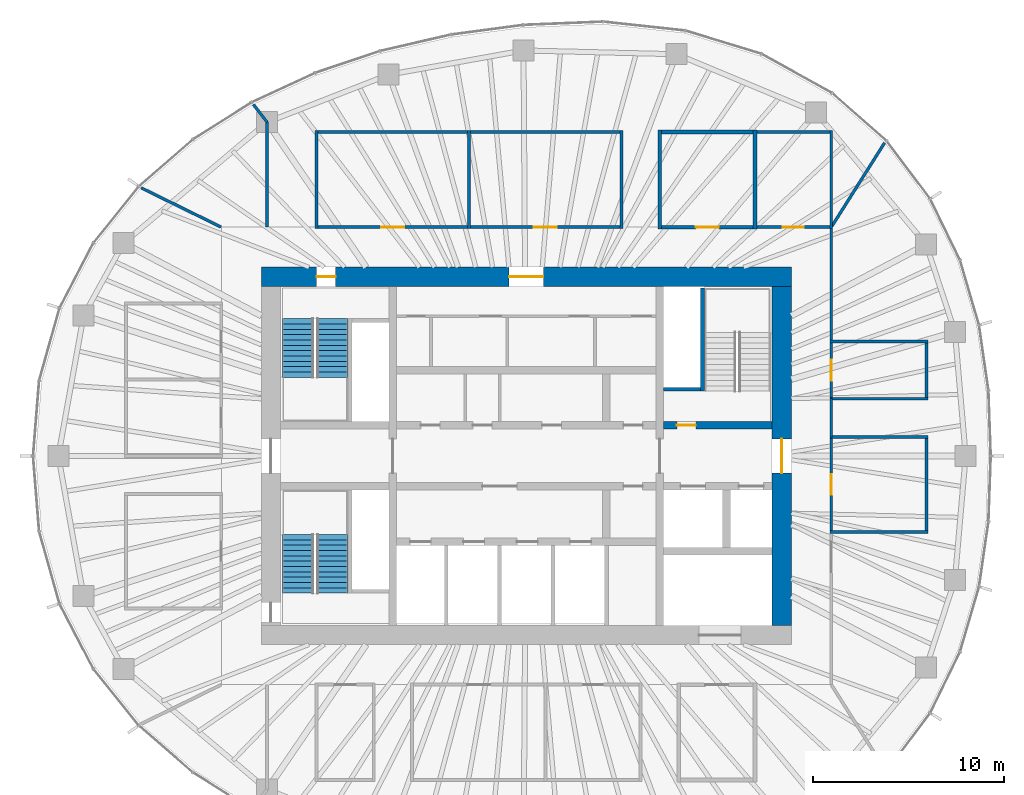
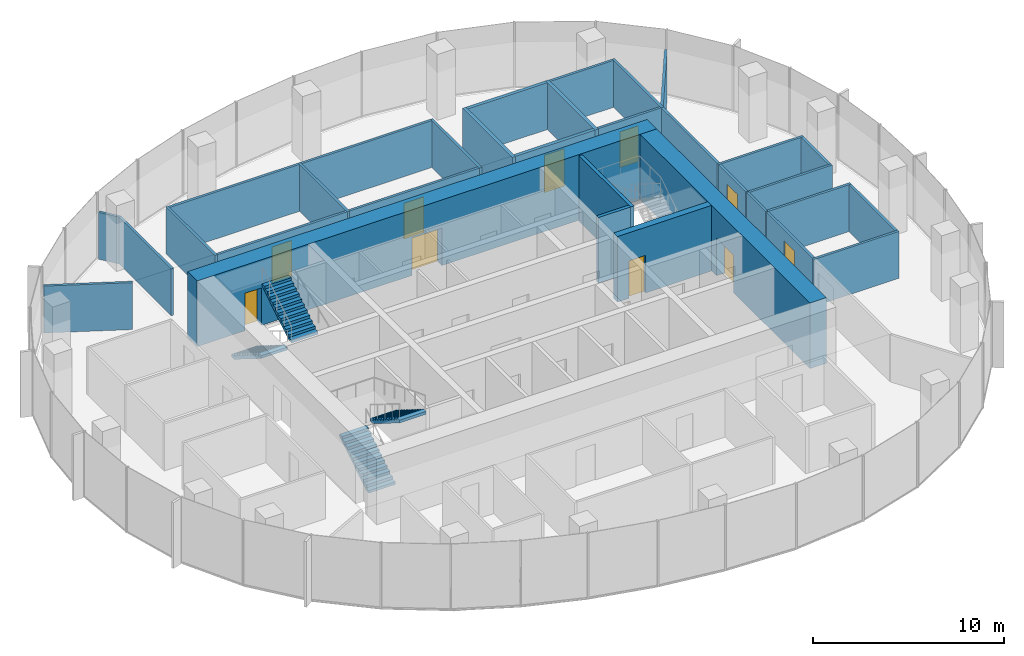
# One storey, part 10 of 12: 33 walls, 10 doors, 4 stair flights, 10 openings, 2 elements without a shape of their own.
"""IFC4 building model written with IfcOpenShell, lengths in metres."""

from ifc_helpers import new_model, si_unit, direction, frame, frame_2d, origin, place, context, subcontext, project, spatial, polyline, rectangle, outline, extrude, material, layer, layer_set, type_object, element, fill, aggregate, save


model = new_model("IFC4")

# Units and contexts
model_context = context("Model", 3, precision=1e-05, world=origin(), true_north=direction((0.0, 1.0)))
body_context = subcontext(model_context, "Body", "Model", "MODEL_VIEW")
ifc_project = project(units=[si_unit("LENGTHUNIT", "METRE"), si_unit("AREAUNIT", "SQUARE_METRE"), si_unit("VOLUMEUNIT", "CUBIC_METRE"), si_unit("PLANEANGLEUNIT", "RADIAN"), si_unit("MASSUNIT", "GRAM", prefix="KILO")], contexts=[model_context])

# Site, building, storey
site_placement = place(None, origin())
site = spatial("IfcSite", under=ifc_project, at=site_placement, CompositionType="ELEMENT")
building_placement = place(site_placement, origin())
building = spatial("IfcBuilding", under=site, at=building_placement, Name="Ghaith Harvest Tower", CompositionType="ELEMENT")
storey_placement = place(building_placement, frame((0.0, 0.0, 296.39990234375)))
storey = spatial("IfcBuildingStorey", under=building, at=storey_placement, Name="L66", CompositionType="ELEMENT", Elevation=296.39990234375)

# Walls
ifc_material_1 = material(Name="Twin-stud gypsum board, acoustic", Category="gypsum")
ifc_layer_1 = layer(ifc_material_1, 0.199951171875)
ifc_layer_set_1 = layer_set([ifc_layer_1], Name="ACOUSTIC PARTITION 200")
wall_type_1 = type_object("IfcWallType", Name="ACOUSTIC PARTITION 200", PredefinedType="PARTITIONING", material=ifc_layer_set_1)
for number, where, z_axis, x_axis, name in (
    (1, (7.0, 11.89990234375, 0.0), (0.0, 0.0, 1.0), (0.0, 1.0, 0.0), "Partition L66 row N2 cross wall 1"),
    (2, (12.0, 11.89990234375, 0.0), (0.0, 0.0, 1.0), (0.0, 1.0, 0.0), "Partition L66 row N2 cross wall 2"),
):
    element("IfcWall", number, at=place(storey_placement, frame(where, z_axis=z_axis, x_axis=x_axis)), inside=storey, type_object=wall_type_1, Name=name, PredefinedType="PARTITIONING", context=body_context, shape_type="SweptSolid", body=[
        extrude(rectangle(XDim=5.2001953125, YDim=0.199951171875, at=frame_2d((2.60009765625, 0.0))), origin(), (0.0, 0.0, 1.0), 3.0),
    ])

# Wall, opening, door
wall_1_placement = place(storey_placement, frame((7.10009765625, 12.0, 0.0), z_axis=(0.0, 0.0, 1.0), x_axis=(1.0, 0.0, 0.0)))
wall_1 = element("IfcWall", 3, at=wall_1_placement, inside=storey, type_object=wall_type_1, Name="Partition L66-03", PredefinedType="PARTITIONING", context=body_context, shape_type="SweptSolid", body=[
    extrude(rectangle(XDim=4.7998046875, YDim=0.199951171875, at=frame_2d((2.39990234375, 0.0))), origin(), (0.0, 0.0, 1.0), 3.0),
])
opening_1_placement = place(wall_1_placement, frame((1.800048828125, 0.0, 0.0)))
opening_1 = element("IfcOpeningElement", 4, at=opening_1_placement, cuts=wall_1, Name="Opening 66-028", PredefinedType="OPENING", context=body_context, shape_type="SweptSolid", body=[
    extrude(rectangle(XDim=1.199951171875, YDim=2.39990234375, at=frame_2d((0.60009765625, 1.199951171875))), frame((0.0, 0.10986328125, 0.0), z_axis=(0.0, -1.0, 0.0), x_axis=(1.0, 0.0, 0.0)), (0.0, 0.0, 1.0), 0.219970703125),
])
ifc_material_2 = material(Name="Timber door", Category="wood")
door_type_1 = type_object("IfcDoorType", Name="D11 GLAZED 1200x2400", OperationType="SINGLE_SWING_LEFT", PredefinedType="DOOR", material=ifc_material_2)
door_1_placement = place(opening_1_placement, origin())
door_1 = element("IfcDoor", 5, at=door_1_placement, inside=storey, type_object=door_type_1, Name="Meeting room door", OperationType="SINGLE_SWING_LEFT", OverallHeight=2.39990234375, OverallWidth=1.199951171875, PredefinedType="DOOR", context=body_context, shape_type="SweptSolid", body=[
    extrude(rectangle(XDim=1.199951171875, YDim=2.39990234375, at=frame_2d((0.60009765625, 1.199951171875))), frame((0.0, 0.02490234375, 0.0), z_axis=(0.0, -1.0, 0.0), x_axis=(1.0, 0.0, 0.0)), (0.0, 0.0, 1.0), 0.050048828125),
])
fill(opening_1, door_1)

# Wall
wall_2_placement = place(storey_placement, frame((7.10009765625, 17.0, 0.0), z_axis=(0.0, 0.0, 1.0), x_axis=(1.0, 0.0, 0.0)))
element("IfcWall", 6, at=wall_2_placement, inside=storey, type_object=wall_type_1, Name="Partition L66-03", PredefinedType="PARTITIONING", context=body_context, shape_type="SweptSolid", body=[
    extrude(rectangle(XDim=4.7998046875, YDim=0.199951171875, at=frame_2d((2.39990234375, 0.0))), origin(), (0.0, 0.0, 1.0), 3.0),
])

# Wall, openings, doors
ifc_material_3 = material(Name="Concrete C50/60", Category="concrete")
ifc_layer_2 = layer(ifc_material_3, 1.0)
ifc_layer_set_2 = layer_set([ifc_layer_2], Name="CORE WALL CW1000")
wall_type_2 = type_object("IfcWallType", Name="CORE WALL CW1000", PredefinedType="SHEAR", material=ifc_layer_set_2)
wall_3_placement = place(storey_placement, frame((13.89990234375, 9.39990234375, 0.0), z_axis=(0.0, 0.0, 1.0), x_axis=(-1.0, 0.0, 0.0)))
wall_3 = element("IfcWall", 7, at=wall_3_placement, inside=storey, type_object=wall_type_2, Name="Core wall N L66", PredefinedType="SHEAR", context=body_context, shape_type="SweptSolid", body=[
    extrude(rectangle(XDim=27.7998046875, YDim=1.0, at=frame_2d((13.89990234375, 0.0))), origin(), (0.0, 0.0, 1.0), 4.2001953125),
])
opening_2_placement = place(wall_3_placement, frame((23.89990234375, 0.0, 0.0)))
opening_2 = element("IfcOpeningElement", 8, at=opening_2_placement, cuts=wall_3, Name="Opening 66-005", PredefinedType="OPENING", context=body_context, shape_type="SweptSolid", body=[
    extrude(rectangle(XDim=1.0, YDim=2.39990234375, at=frame_2d((0.5, 1.199951171875))), frame((0.0, 0.510009765625, 0.0), z_axis=(0.0, -1.0, 0.0), x_axis=(1.0, 0.0, 0.0)), (0.0, 0.0, 1.0), 1.02001953125),
])
opening_3_placement = place(wall_3_placement, frame((13.0, 0.0, 0.0)))
opening_3 = element("IfcOpeningElement", 9, at=opening_3_placement, cuts=wall_3, Name="Opening 66-018", PredefinedType="OPENING", context=body_context, shape_type="SweptSolid", body=[
    extrude(rectangle(XDim=1.800048828125, YDim=2.39990234375, at=frame_2d((0.89990234375, 1.199951171875))), frame((0.0, 0.510009765625, 0.0), z_axis=(0.0, -1.0, 0.0), x_axis=(1.0, 0.0, 0.0)), (0.0, 0.0, 1.0), 1.02001953125),
])
ifc_material_4 = material(Name="Steel fire door", Category="steel")
door_type_2 = type_object("IfcDoorType", Name="D3 FD90 1000x2400", OperationType="SINGLE_SWING_LEFT", PredefinedType="DOOR", material=ifc_material_4)
door_2_placement = place(opening_2_placement, origin())
door_2 = element("IfcDoor", 10, at=door_2_placement, inside=storey, type_object=door_type_2, Name="Stair ST1 door", OperationType="SINGLE_SWING_RIGHT", OverallHeight=2.39990234375, OverallWidth=1.0, PredefinedType="DOOR", context=body_context, shape_type="SweptSolid", body=[
    extrude(rectangle(XDim=1.0, YDim=2.39990234375, at=frame_2d((0.5, 1.199951171875))), frame((0.0, 0.02490234375, 0.0), z_axis=(0.0, -1.0, 0.0), x_axis=(1.0, 0.0, 0.0)), (0.0, 0.0, 1.0), 0.050048828125),
])
fill(opening_2, door_2)
ifc_material_5 = material(Name="Steel fire door", Category="steel")
door_type_3 = type_object("IfcDoorType", Name="D4 FD90 PAIR 1800x2400", OperationType="DOUBLE_DOOR_SINGLE_SWING", PredefinedType="DOOR", material=ifc_material_5)
door_3_placement = place(opening_3_placement, origin())
door_3 = element("IfcDoor", 11, at=door_3_placement, inside=storey, type_object=door_type_3, Name="Core service corridor doors", OperationType="DOUBLE_DOOR_SINGLE_SWING", OverallHeight=2.39990234375, OverallWidth=1.800048828125, PredefinedType="DOOR", context=body_context, shape_type="SweptSolid", body=[
    extrude(rectangle(XDim=1.800048828125, YDim=2.39990234375, at=frame_2d((0.89990234375, 1.199951171875))), frame((0.0, 0.02490234375, 0.0), z_axis=(0.0, -1.0, 0.0), x_axis=(1.0, 0.0, 0.0)), (0.0, 0.0, 1.0), 0.050048828125),
])
fill(opening_3, door_3)

# Wall, opening, door
wall_4_placement = place(storey_placement, frame((13.39990234375, -8.89990234375, 0.0), z_axis=(0.0, 0.0, 1.0), x_axis=(0.0, 1.0, 0.0)))
wall_4 = element("IfcWall", 12, at=wall_4_placement, inside=storey, type_object=wall_type_2, Name="Core wall E L66", PredefinedType="SHEAR", context=body_context, shape_type="SweptSolid", body=[
    extrude(rectangle(XDim=17.7998046875, YDim=1.0, at=frame_2d((8.89990234375, 0.0))), origin(), (0.0, 0.0, 1.0), 4.2001953125),
])
opening_4_placement = place(wall_4_placement, frame((8.0, 0.0, 0.0)))
opening_4 = element("IfcOpeningElement", 13, at=opening_4_placement, cuts=wall_4, Name="Opening 66-002", PredefinedType="OPENING", context=body_context, shape_type="SweptSolid", body=[
    extrude(rectangle(XDim=1.800048828125, YDim=2.39990234375, at=frame_2d((0.89990234375, 1.199951171875))), frame((0.0, 0.510009765625, 0.0), z_axis=(0.0, -1.0, 0.0), x_axis=(1.0, 0.0, 0.0)), (0.0, 0.0, 1.0), 1.02001953125),
])
door_4_placement = place(opening_4_placement, origin())
door_4 = element("IfcDoor", 14, at=door_4_placement, inside=storey, type_object=door_type_3, Name="Fire-fighting lobby doors", OperationType="DOUBLE_DOOR_SINGLE_SWING", OverallHeight=2.39990234375, OverallWidth=1.800048828125, PredefinedType="DOOR", context=body_context, shape_type="SweptSolid", body=[
    extrude(rectangle(XDim=1.800048828125, YDim=2.39990234375, at=frame_2d((0.89990234375, 1.199951171875))), frame((0.0, 0.02490234375, 0.0), z_axis=(0.0, -1.0, 0.0), x_axis=(1.0, 0.0, 0.0)), (0.0, 0.0, 1.0), 0.050048828125),
])
fill(opening_4, door_4)

# Walls
ifc_material_6 = material(Name="Gypsum board on steel studs", Category="steel")
ifc_layer_3 = layer(ifc_material_6, 0.14990234375)
ifc_layer_set_3 = layer_set([ifc_layer_3], Name="PARTITION 150")
wall_type_3 = type_object("IfcWallType", Name="PARTITION 150", PredefinedType="PARTITIONING", material=ifc_layer_set_3)
for number, where, z_axis, x_axis, name in (
    (15, (-11.0, 11.925048828125, 0.0), (0.0, 0.0, 1.0), (0.0, 1.0, 0.0), "Partition L66 row N1 cross wall 1"),
    (16, (-3.0, 11.925048828125, 0.0), (0.0, 0.0, 1.0), (0.0, 1.0, 0.0), "Partition L66 row N1 cross wall 2"),
    (17, (5.0, 11.925048828125, 0.0), (0.0, 0.0, 1.0), (0.0, 1.0, 0.0), "Partition L66 row N1 cross wall 3"),
):
    element("IfcWall", number, at=place(storey_placement, frame(where, z_axis=z_axis, x_axis=x_axis)), inside=storey, type_object=wall_type_3, Name=name, PredefinedType="PARTITIONING", context=body_context, shape_type="SweptSolid", body=[
        extrude(rectangle(XDim=5.14990234375, YDim=0.14990234375, at=frame_2d((2.574951171875, 0.0))), origin(), (0.0, 0.0, 1.0), 3.0),
    ])

# Wall, opening, door
wall_5_placement = place(storey_placement, frame((-10.925048828125, 12.0, 0.0), z_axis=(0.0, 0.0, 1.0), x_axis=(1.0, 0.0, 0.0)))
wall_5 = element("IfcWall", 18, at=wall_5_placement, inside=storey, type_object=wall_type_3, Name="Partition L66-01", PredefinedType="PARTITIONING", context=body_context, shape_type="SweptSolid", body=[
    extrude(rectangle(XDim=7.85009765625, YDim=0.14990234375, at=frame_2d((3.925048828125, 0.0))), origin(), (0.0, 0.0, 1.0), 3.0),
])
opening_5_placement = place(wall_5_placement, frame((3.324951171875, 0.0, 0.0)))
opening_5 = element("IfcOpeningElement", 19, at=opening_5_placement, cuts=wall_5, Name="Opening 66-026", PredefinedType="OPENING", context=body_context, shape_type="SweptSolid", body=[
    extrude(rectangle(XDim=1.199951171875, YDim=2.300048828125, at=frame_2d((0.60009765625, 1.14990234375))), frame((0.0, 0.0849609375, 0.0), z_axis=(0.0, -1.0, 0.0), x_axis=(1.0, 0.0, 0.0)), (0.0, 0.0, 1.0), 0.169921875),
])
ifc_material_7 = material(Name="Timber door with vision panel", Category="wood")
door_type_4 = type_object("IfcDoorType", Name="D15 LABORATORY 1200x2300", OperationType="SINGLE_SWING_LEFT", PredefinedType="DOOR", material=ifc_material_7)
door_5_placement = place(opening_5_placement, origin())
door_5 = element("IfcDoor", 20, at=door_5_placement, inside=storey, type_object=door_type_4, Name="Growing laboratory door", OperationType="SINGLE_SWING_LEFT", OverallHeight=2.300048828125, OverallWidth=1.199951171875, PredefinedType="DOOR", context=body_context, shape_type="SweptSolid", body=[
    extrude(rectangle(XDim=1.199951171875, YDim=2.300048828125, at=frame_2d((0.60009765625, 1.14990234375))), frame((0.0, 0.02490234375, 0.0), z_axis=(0.0, -1.0, 0.0), x_axis=(1.0, 0.0, 0.0)), (0.0, 0.0, 1.0), 0.050048828125),
])
fill(opening_5, door_5)

# Wall
wall_6_placement = place(storey_placement, frame((-10.925048828125, 17.0, 0.0), z_axis=(0.0, 0.0, 1.0), x_axis=(1.0, 0.0, 0.0)))
element("IfcWall", 21, at=wall_6_placement, inside=storey, type_object=wall_type_3, Name="Partition L66-01", PredefinedType="PARTITIONING", context=body_context, shape_type="SweptSolid", body=[
    extrude(rectangle(XDim=7.85009765625, YDim=0.14990234375, at=frame_2d((3.925048828125, 0.0))), origin(), (0.0, 0.0, 1.0), 3.0),
])

# Wall, opening, door
wall_7_placement = place(storey_placement, frame((-2.925048828125, 12.0, 0.0), z_axis=(0.0, 0.0, 1.0), x_axis=(1.0, 0.0, 0.0)))
wall_7 = element("IfcWall", 22, at=wall_7_placement, inside=storey, type_object=wall_type_3, Name="Partition L66-02", PredefinedType="PARTITIONING", context=body_context, shape_type="SweptSolid", body=[
    extrude(rectangle(XDim=7.85009765625, YDim=0.14990234375, at=frame_2d((3.925048828125, 0.0))), origin(), (0.0, 0.0, 1.0), 3.0),
])
opening_6_placement = place(wall_7_placement, frame((3.324951171875, 0.0, 0.0)))
opening_6 = element("IfcOpeningElement", 23, at=opening_6_placement, cuts=wall_7, Name="Opening 66-027", PredefinedType="OPENING", context=body_context, shape_type="SweptSolid", body=[
    extrude(rectangle(XDim=1.199951171875, YDim=2.300048828125, at=frame_2d((0.60009765625, 1.14990234375))), frame((0.0, 0.0849609375, 0.0), z_axis=(0.0, -1.0, 0.0), x_axis=(1.0, 0.0, 0.0)), (0.0, 0.0, 1.0), 0.169921875),
])
door_6_placement = place(opening_6_placement, origin())
door_6 = element("IfcDoor", 24, at=door_6_placement, inside=storey, type_object=door_type_4, Name="Growing laboratory door", OperationType="SINGLE_SWING_LEFT", OverallHeight=2.300048828125, OverallWidth=1.199951171875, PredefinedType="DOOR", context=body_context, shape_type="SweptSolid", body=[
    extrude(rectangle(XDim=1.199951171875, YDim=2.300048828125, at=frame_2d((0.60009765625, 1.14990234375))), frame((0.0, 0.02490234375, 0.0), z_axis=(0.0, -1.0, 0.0), x_axis=(1.0, 0.0, 0.0)), (0.0, 0.0, 1.0), 0.050048828125),
])
fill(opening_6, door_6)

# Walls
wall_8_placement = place(storey_placement, frame((-2.925048828125, 17.0, 0.0), z_axis=(0.0, 0.0, 1.0), x_axis=(1.0, 0.0, 0.0)))
element("IfcWall", 25, at=wall_8_placement, inside=storey, type_object=wall_type_3, Name="Partition L66-02", PredefinedType="PARTITIONING", context=body_context, shape_type="SweptSolid", body=[
    extrude(rectangle(XDim=7.85009765625, YDim=0.14990234375, at=frame_2d((3.925048828125, 0.0))), origin(), (0.0, 0.0, 1.0), 3.0),
])
wall_9_placement = place(storey_placement, frame((16.0, 11.925048828125, 0.0), z_axis=(0.0, 0.0, 1.0), x_axis=(0.0, 1.0, 0.0)))
element("IfcWall", 26, at=wall_9_placement, inside=storey, type_object=wall_type_3, Name="Partition L66 row N2 cross wall 3", PredefinedType="PARTITIONING", context=body_context, shape_type="SweptSolid", body=[
    extrude(rectangle(XDim=5.14990234375, YDim=0.14990234375, at=frame_2d((2.574951171875, 0.0))), origin(), (0.0, 0.0, 1.0), 3.0),
])

# Wall, opening, door
wall_10_placement = place(storey_placement, frame((12.10009765625, 12.0, 0.0), z_axis=(0.0, 0.0, 1.0), x_axis=(1.0, 0.0, 0.0)))
wall_10 = element("IfcWall", 27, at=wall_10_placement, inside=storey, type_object=wall_type_3, Name="Partition L66-04", PredefinedType="PARTITIONING", context=body_context, shape_type="SweptSolid", body=[
    extrude(rectangle(XDim=3.824951171875, YDim=0.14990234375, at=frame_2d((1.91259765625, 0.0))), origin(), (0.0, 0.0, 1.0), 3.0),
])
opening_7_placement = place(wall_10_placement, frame((1.362548828125, 0.0, 0.0)))
opening_7 = element("IfcOpeningElement", 28, at=opening_7_placement, cuts=wall_10, Name="Opening 66-029", PredefinedType="OPENING", context=body_context, shape_type="SweptSolid", body=[
    extrude(rectangle(XDim=1.10009765625, YDim=2.300048828125, at=frame_2d((0.550048828125, 1.14990234375))), frame((0.0, 0.0849609375, 0.0), z_axis=(0.0, -1.0, 0.0), x_axis=(1.0, 0.0, 0.0)), (0.0, 0.0, 1.0), 0.169921875),
])
ifc_material_8 = material(Name="Timber-framed glazed door", Category="wood")
door_type_5 = type_object("IfcDoorType", Name="D12 GLAZED OFFICE 1100x2300", OperationType="SINGLE_SWING_LEFT", PredefinedType="DOOR", material=ifc_material_8)
door_7_placement = place(opening_7_placement, origin())
door_7 = element("IfcDoor", 29, at=door_7_placement, inside=storey, type_object=door_type_5, Name="Office door", OperationType="SINGLE_SWING_LEFT", OverallHeight=2.300048828125, OverallWidth=1.10009765625, PredefinedType="DOOR", context=body_context, shape_type="SweptSolid", body=[
    extrude(rectangle(XDim=1.10009765625, YDim=2.300048828125, at=frame_2d((0.550048828125, 1.14990234375))), frame((0.0, 0.02490234375, 0.0), z_axis=(0.0, -1.0, 0.0), x_axis=(1.0, 0.0, 0.0)), (0.0, 0.0, 1.0), 0.050048828125),
])
fill(opening_7, door_7)

# Walls
wall_11_placement = place(storey_placement, frame((12.10009765625, 17.0, 0.0), z_axis=(0.0, 0.0, 1.0), x_axis=(1.0, 0.0, 0.0)))
element("IfcWall", 30, at=wall_11_placement, inside=storey, type_object=wall_type_3, Name="Partition L66-04", PredefinedType="PARTITIONING", context=body_context, shape_type="SweptSolid", body=[
    extrude(rectangle(XDim=3.824951171875, YDim=0.14990234375, at=frame_2d((1.91259765625, 0.0))), origin(), (0.0, 0.0, 1.0), 3.0),
])
for number, where, z_axis, x_axis, name in (
    (31, (15.925048828125, -4.0, 0.0), (0.0, 0.0, 1.0), (1.0, 0.0, 0.0), "Partition L66 row E6 cross wall 1"),
    (32, (15.925048828125, 1.0, 0.0), (0.0, 0.0, 1.0), (1.0, 0.0, 0.0), "Partition L66 row E6 cross wall 2"),
):
    element("IfcWall", number, at=place(storey_placement, frame(where, z_axis=z_axis, x_axis=x_axis)), inside=storey, type_object=wall_type_3, Name=name, PredefinedType="PARTITIONING", context=body_context, shape_type="SweptSolid", body=[
        extrude(rectangle(XDim=5.14990234375, YDim=0.14990234375, at=frame_2d((2.574951171875, 0.0))), origin(), (0.0, 0.0, 1.0), 3.0),
    ])

# Wall, opening, door
wall_12_placement = place(storey_placement, frame((16.0, -3.925048828125, 0.0), z_axis=(0.0, 0.0, 1.0), x_axis=(0.0, 1.0, 0.0)))
wall_12 = element("IfcWall", 33, at=wall_12_placement, inside=storey, type_object=wall_type_3, Name="Partition L66-09", PredefinedType="PARTITIONING", context=body_context, shape_type="SweptSolid", body=[
    extrude(rectangle(XDim=4.85009765625, YDim=0.14990234375, at=frame_2d((2.425048828125, 0.0))), origin(), (0.0, 0.0, 1.0), 3.0),
])
opening_8_placement = place(wall_12_placement, frame((1.875, 0.0, 0.0)))
opening_8 = element("IfcOpeningElement", 34, at=opening_8_placement, cuts=wall_12, Name="Opening 66-034", PredefinedType="OPENING", context=body_context, shape_type="SweptSolid", body=[
    extrude(rectangle(XDim=1.10009765625, YDim=2.300048828125, at=frame_2d((0.550048828125, 1.14990234375))), frame((0.0, 0.0849609375, 0.0), z_axis=(0.0, -1.0, 0.0), x_axis=(1.0, 0.0, 0.0)), (0.0, 0.0, 1.0), 0.169921875),
])
door_8_placement = place(opening_8_placement, origin())
door_8 = element("IfcDoor", 35, at=door_8_placement, inside=storey, type_object=door_type_5, Name="Research office door", OperationType="SINGLE_SWING_LEFT", OverallHeight=2.300048828125, OverallWidth=1.10009765625, PredefinedType="DOOR", context=body_context, shape_type="SweptSolid", body=[
    extrude(rectangle(XDim=1.10009765625, YDim=2.300048828125, at=frame_2d((0.550048828125, 1.14990234375))), frame((0.0, 0.02490234375, 0.0), z_axis=(0.0, -1.0, 0.0), x_axis=(1.0, 0.0, 0.0)), (0.0, 0.0, 1.0), 0.050048828125),
])
fill(opening_8, door_8)

# Walls
wall_13_placement = place(storey_placement, frame((21.0, -3.925048828125, 0.0), z_axis=(0.0, 0.0, 1.0), x_axis=(0.0, 1.0, 0.0)))
element("IfcWall", 36, at=wall_13_placement, inside=storey, type_object=wall_type_3, Name="Partition L66-09", PredefinedType="PARTITIONING", context=body_context, shape_type="SweptSolid", body=[
    extrude(rectangle(XDim=4.85009765625, YDim=0.14990234375, at=frame_2d((2.425048828125, 0.0))), origin(), (0.0, 0.0, 1.0), 3.0),
])
for number, where, z_axis, x_axis, name in (
    (37, (15.925048828125, 3.0, 0.0), (0.0, 0.0, 1.0), (1.0, 0.0, 0.0), "Partition L66 row E8 cross wall 1"),
    (38, (15.925048828125, 6.0, 0.0), (0.0, 0.0, 1.0), (1.0, 0.0, 0.0), "Partition L66 row E8 cross wall 2"),
):
    element("IfcWall", number, at=place(storey_placement, frame(where, z_axis=z_axis, x_axis=x_axis)), inside=storey, type_object=wall_type_3, Name=name, PredefinedType="PARTITIONING", context=body_context, shape_type="SweptSolid", body=[
        extrude(rectangle(XDim=5.14990234375, YDim=0.14990234375, at=frame_2d((2.574951171875, 0.0))), origin(), (0.0, 0.0, 1.0), 3.0),
    ])

# Wall, opening, door
wall_14_placement = place(storey_placement, frame((16.0, 3.074951171875, 0.0), z_axis=(0.0, 0.0, 1.0), x_axis=(0.0, 1.0, 0.0)))
wall_14 = element("IfcWall", 39, at=wall_14_placement, inside=storey, type_object=wall_type_3, Name="Partition L66-11", PredefinedType="PARTITIONING", context=body_context, shape_type="SweptSolid", body=[
    extrude(rectangle(XDim=2.85009765625, YDim=0.14990234375, at=frame_2d((1.425048828125, 0.0))), origin(), (0.0, 0.0, 1.0), 3.0),
])
opening_9_placement = place(wall_14_placement, frame((0.875, 0.0, 0.0)))
opening_9 = element("IfcOpeningElement", 40, at=opening_9_placement, cuts=wall_14, Name="Opening 66-036", PredefinedType="OPENING", context=body_context, shape_type="SweptSolid", body=[
    extrude(rectangle(XDim=1.10009765625, YDim=2.300048828125, at=frame_2d((0.550048828125, 1.14990234375))), frame((0.0, 0.0849609375, 0.0), z_axis=(0.0, -1.0, 0.0), x_axis=(1.0, 0.0, 0.0)), (0.0, 0.0, 1.0), 0.169921875),
])
door_9_placement = place(opening_9_placement, origin())
door_9 = element("IfcDoor", 41, at=door_9_placement, inside=storey, type_object=door_type_5, Name="Data office door", OperationType="SINGLE_SWING_LEFT", OverallHeight=2.300048828125, OverallWidth=1.10009765625, PredefinedType="DOOR", context=body_context, shape_type="SweptSolid", body=[
    extrude(rectangle(XDim=1.10009765625, YDim=2.300048828125, at=frame_2d((0.550048828125, 1.14990234375))), frame((0.0, 0.02490234375, 0.0), z_axis=(0.0, -1.0, 0.0), x_axis=(1.0, 0.0, 0.0)), (0.0, 0.0, 1.0), 0.050048828125),
])
fill(opening_9, door_9)

# Walls
wall_15_placement = place(storey_placement, frame((21.0, 3.074951171875, 0.0), z_axis=(0.0, 0.0, 1.0), x_axis=(0.0, 1.0, 0.0)))
element("IfcWall", 42, at=wall_15_placement, inside=storey, type_object=wall_type_3, Name="Partition L66-11", PredefinedType="PARTITIONING", context=body_context, shape_type="SweptSolid", body=[
    extrude(rectangle(XDim=2.85009765625, YDim=0.14990234375, at=frame_2d((1.425048828125, 0.0))), origin(), (0.0, 0.0, 1.0), 3.0),
])
wall_16_placement = place(storey_placement, frame((-16.017822265625, 12.0087890625, 0.0), z_axis=(0.0, 0.0, 1.0), x_axis=(-0.897771840996, 0.440460805879, 0.0)))
element("IfcWall", 43, at=wall_16_placement, inside=storey, type_object=wall_type_3, Name="Partition L66 zone division", PredefinedType="PARTITIONING", context=body_context, shape_type="SweptSolid", body=[
    extrude(rectangle(XDim=4.66552734375, YDim=0.14990234375, at=frame_2d((2.332763671875, 0.0))), origin(), (0.0, 0.0, 1.0), 3.0),
])
wall_17_placement = place(storey_placement, frame((16.02001953125, 12.03173828125, 0.0), z_axis=(0.0, 0.0, 1.0), x_axis=(0.534176584227, 0.845372921771, 0.0)))
element("IfcWall", 44, at=wall_17_placement, inside=storey, type_object=wall_type_3, Name="Partition L66 zone division", PredefinedType="PARTITIONING", context=body_context, shape_type="SweptSolid", body=[
    extrude(rectangle(XDim=5.202880859375, YDim=0.14990234375, at=frame_2d((2.6015625, 0.0))), origin(), (0.0, 0.0, 1.0), 3.0),
])
wall_18_placement = place(storey_placement, frame((-13.594970703125, 12.02001953125, 0.0), z_axis=(0.0, 0.0, 1.0), x_axis=(0.0, 1.0, 0.0)))
element("IfcWall", 45, at=wall_18_placement, inside=storey, type_object=wall_type_3, Name="Partition L66 zone division", PredefinedType="PARTITIONING", context=body_context, shape_type="SweptSolid", body=[
    extrude(rectangle(XDim=5.48486328125, YDim=0.14990234375, at=frame_2d((2.742431640625, 0.0))), origin(), (0.0, 0.0, 1.0), 3.0),
])
wall_19_placement = place(storey_placement, frame((-13.594970703125, 17.5048828125, 0.0), z_axis=(0.0, 0.0, 1.0), x_axis=(-0.61332442804, 0.789831086986, 0.0)))
element("IfcWall", 46, at=wall_19_placement, inside=storey, type_object=wall_type_3, Name="Partition L66 zone division", PredefinedType="PARTITIONING", context=body_context, shape_type="SweptSolid", body=[
    extrude(rectangle(XDim=1.179931640625, YDim=0.14990234375, at=frame_2d((0.58984375, 0.0))), origin(), (0.0, 0.0, 1.0), 3.0),
])
wall_20_placement = place(storey_placement, frame((16.0, 1.0, 0.0), z_axis=(0.0, 0.0, 1.0), x_axis=(0.0, 1.0, 0.0)))
element("IfcWall", 47, at=wall_20_placement, inside=storey, type_object=wall_type_3, Name="Partition L66 zone enclosure", PredefinedType="PARTITIONING", context=body_context, shape_type="SweptSolid", body=[
    extrude(rectangle(XDim=2.0, YDim=0.14990234375, at=frame_2d((1.0, 0.0))), origin(), (0.0, 0.0, 1.0), 3.0),
])
wall_21_placement = place(storey_placement, frame((16.0, 6.0, 0.0), z_axis=(0.0, 0.0, 1.0), x_axis=(0.0, 1.0, 0.0)))
element("IfcWall", 48, at=wall_21_placement, inside=storey, type_object=wall_type_3, Name="Partition L66 zone enclosure", PredefinedType="PARTITIONING", context=body_context, shape_type="SweptSolid", body=[
    extrude(rectangle(XDim=6.0, YDim=0.14990234375, at=frame_2d((3.0, 0.0))), origin(), (0.0, 0.0, 1.0), 3.0),
])

# Wall, opening, door
ifc_material_9 = material(Name="Concrete C70/85", Category="concrete")
ifc_layer_4 = layer(ifc_material_9, 0.39990234375)
ifc_layer_set_4 = layer_set([ifc_layer_4], Name="SHAFT WALL 400")
wall_type_4 = type_object("IfcWallType", Name="SHAFT WALL 400", PredefinedType="SHEAR", material=ifc_layer_set_4)
wall_22_placement = place(storey_placement, frame((7.199951171875, 1.60009765625, 0.0), z_axis=(0.0, 0.0, 1.0), x_axis=(1.0, 0.0, 0.0)))
wall_22 = element("IfcWall", 49, at=wall_22_placement, inside=storey, type_object=wall_type_4, Name="Shaft wall EN L66", PredefinedType="SHEAR", context=body_context, shape_type="SweptSolid", body=[
    extrude(rectangle(XDim=5.699951171875, YDim=0.39990234375, at=frame_2d((2.85009765625, 0.0))), origin(), (0.0, 0.0, 1.0), 4.2001953125),
])
opening_10_placement = place(wall_22_placement, frame((0.699951171875, 0.0, 0.0)))
opening_10 = element("IfcOpeningElement", 50, at=opening_10_placement, cuts=wall_22, Name="Opening 66-007", PredefinedType="OPENING", context=body_context, shape_type="SweptSolid", body=[
    extrude(rectangle(XDim=1.0, YDim=2.39990234375, at=frame_2d((0.5, 1.199951171875))), frame((0.0, 0.2099609375, 0.0), z_axis=(0.0, -1.0, 0.0), x_axis=(1.0, 0.0, 0.0)), (0.0, 0.0, 1.0), 0.419921875),
])
door_10_placement = place(opening_10_placement, origin())
door_10 = element("IfcDoor", 51, at=door_10_placement, inside=storey, type_object=door_type_2, Name="Stair ST2 door", OperationType="SINGLE_SWING_LEFT", OverallHeight=2.39990234375, OverallWidth=1.0, PredefinedType="DOOR", context=body_context, shape_type="SweptSolid", body=[
    extrude(rectangle(XDim=1.0, YDim=2.39990234375, at=frame_2d((0.5, 1.199951171875))), frame((0.0, 0.02490234375, 0.0), z_axis=(0.0, -1.0, 0.0), x_axis=(1.0, 0.0, 0.0)), (0.0, 0.0, 1.0), 0.050048828125),
])
fill(opening_10, door_10)

# Walls
ifc_material_10 = material(Name="Concrete C40/50", Category="concrete")
ifc_layer_5 = layer(ifc_material_10, 0.199951171875)
ifc_layer_set_5 = layer_set([ifc_layer_5], Name="STAIR SPINE WALL RC200")
wall_type_5 = type_object("IfcWallType", Name="STAIR SPINE WALL RC200", PredefinedType="SOLIDWALL", material=ifc_layer_set_5)
wall_23_placement = place(storey_placement, frame((9.25, 3.39990234375, 0.0), z_axis=(0.0, 0.0, 1.0), x_axis=(0.0, 1.0, 0.0)))
element("IfcWall", 52, at=wall_23_placement, inside=storey, type_object=wall_type_5, Name="Stair ST2 spine wall L66", PredefinedType="SOLIDWALL", context=body_context, shape_type="SweptSolid", body=[
    extrude(rectangle(XDim=5.400146484375, YDim=0.199951171875, at=frame_2d((2.7001953125, 0.0))), origin(), (0.0, 0.0, 1.0), 4.2001953125),
])
wall_24_placement = place(storey_placement, frame((9.14990234375, 3.5, 0.0), z_axis=(0.0, 0.0, 1.0), x_axis=(-1.0, 0.0, 0.0)))
element("IfcWall", 53, at=wall_24_placement, inside=storey, type_object=wall_type_5, Name="Stair ST2 spine wall return L66", PredefinedType="SOLIDWALL", context=body_context, shape_type="SweptSolid", body=[
    extrude(rectangle(XDim=1.949951171875, YDim=0.199951171875, at=frame_2d((0.97509765625, 0.0))), origin(), (0.0, 0.0, 1.0), 4.2001953125),
])

# Stair, stair flights
ifc_material_11 = material(Name="Concrete C40/50, precast", Category="concrete")
stair_type = type_object("IfcStairType", Name="CORE STAIR 24R", PredefinedType="HALF_TURN_STAIR", material=ifc_material_11)
stair_1_placement = place(storey_placement, origin())
stair_1 = element("IfcStair", 54, at=stair_1_placement, inside=storey, type_object=stair_type, Name="Stair ST1 L66", PredefinedType="HALF_TURN_STAIR")
ifc_material_12 = material(Name="Concrete C40/50, precast", Category="concrete")
stair_flight_type = type_object("IfcStairFlightType", Name="CORE FLIGHT 12R 1600", PredefinedType="STRAIGHT", material=ifc_material_12)
stair_flight_1_placement = place(storey_placement, frame((-12.0, 7.199951171875, 0.0), z_axis=(0.0, 0.0, 1.0), x_axis=(0.0, -1.0, 0.0)))
stair_flight_1 = element("IfcStairFlight", 55, at=stair_flight_1_placement, type_object=stair_flight_type, Name="ST1 flight 1", NumberOfRisers=12, NumberOfTreads=11, PredefinedType="STRAIGHT", RiserHeight=0.175, TreadLength=0.28, context=body_context, shape_type="SweptSolid", body=[
    extrude(outline(polyline([(0.0, 0.0), (0.0, 0.175048828125), (0.280029296875, 0.175048828125), (0.280029296875, 0.35009765625), (0.56005859375, 0.35009765625), (0.56005859375, 0.52490234375), (0.840087890625, 0.52490234375), (0.840087890625, 0.699951171875), (1.1201171875, 0.699951171875), (1.1201171875, 0.875), (1.39990234375, 0.875), (1.39990234375, 1.050048828125), (1.679931640625, 1.050048828125), (1.679931640625, 1.22509765625), (1.9599609375, 1.22509765625), (1.9599609375, 1.39990234375), (2.239990234375, 1.39990234375), (2.239990234375, 1.574951171875), (2.52001953125, 1.574951171875), (2.52001953125, 1.75), (2.800048828125, 1.75), (2.800048828125, 1.925048828125), (3.080078125, 1.925048828125), (3.080078125, 2.10009765625), (3.080078125, 1.748291015625), (0.28271484375, 0.0), (0.0, 0.0)])), frame((0.0, 0.800048828125, 0.0), z_axis=(0.0, -1.0, 0.0), x_axis=(1.0, 0.0, 0.0)), (0.0, 0.0, 1.0), 1.60009765625),
])
stair_flight_2_placement = place(storey_placement, frame((-10.14990234375, 4.1201171875, 2.10009765625), z_axis=(0.0, 0.0, 1.0), x_axis=(0.0, 1.0, 0.0)))
stair_flight_2 = element("IfcStairFlight", 56, at=stair_flight_2_placement, type_object=stair_flight_type, Name="ST1 flight 2", NumberOfRisers=12, NumberOfTreads=11, PredefinedType="STRAIGHT", RiserHeight=0.175, TreadLength=0.28, context=body_context, shape_type="SweptSolid", body=[
    extrude(outline(polyline([(0.0, 0.0), (0.0, 0.175048828125), (0.280029296875, 0.175048828125), (0.280029296875, 0.35009765625), (0.56005859375, 0.35009765625), (0.56005859375, 0.52490234375), (0.840087890625, 0.52490234375), (0.840087890625, 0.699951171875), (1.1201171875, 0.699951171875), (1.1201171875, 0.875), (1.39990234375, 0.875), (1.39990234375, 1.050048828125), (1.679931640625, 1.050048828125), (1.679931640625, 1.22509765625), (1.9599609375, 1.22509765625), (1.9599609375, 1.39990234375), (2.239990234375, 1.39990234375), (2.239990234375, 1.574951171875), (2.52001953125, 1.574951171875), (2.52001953125, 1.75), (2.800048828125, 1.75), (2.800048828125, 1.925048828125), (3.080078125, 1.925048828125), (3.080078125, 2.10009765625), (3.080078125, 1.748291015625), (0.28271484375, 0.0), (0.0, 0.0)])), frame((0.0, 0.800048828125, 0.0), z_axis=(0.0, -1.0, 0.0), x_axis=(1.0, 0.0, 0.0)), (0.0, 0.0, 1.0), 1.60009765625),
])
aggregate(stair_1, [stair_flight_1, stair_flight_2])

stair_2_placement = place(storey_placement, origin())
stair_2 = element("IfcStair", 57, at=stair_2_placement, inside=storey, type_object=stair_type, Name="Stair ST3 L66", PredefinedType="HALF_TURN_STAIR")
stair_flight_3_placement = place(storey_placement, frame((-12.0, -7.199951171875, 0.0), z_axis=(0.0, 0.0, 1.0), x_axis=(0.0, 1.0, 0.0)))
stair_flight_3 = element("IfcStairFlight", 58, at=stair_flight_3_placement, type_object=stair_flight_type, Name="ST3 flight 1", NumberOfRisers=12, NumberOfTreads=11, PredefinedType="STRAIGHT", RiserHeight=0.175, TreadLength=0.28, context=body_context, shape_type="SweptSolid", body=[
    extrude(outline(polyline([(0.0, 0.0), (0.0, 0.175048828125), (0.280029296875, 0.175048828125), (0.280029296875, 0.35009765625), (0.56005859375, 0.35009765625), (0.56005859375, 0.52490234375), (0.840087890625, 0.52490234375), (0.840087890625, 0.699951171875), (1.1201171875, 0.699951171875), (1.1201171875, 0.875), (1.39990234375, 0.875), (1.39990234375, 1.050048828125), (1.679931640625, 1.050048828125), (1.679931640625, 1.22509765625), (1.9599609375, 1.22509765625), (1.9599609375, 1.39990234375), (2.239990234375, 1.39990234375), (2.239990234375, 1.574951171875), (2.52001953125, 1.574951171875), (2.52001953125, 1.75), (2.800048828125, 1.75), (2.800048828125, 1.925048828125), (3.080078125, 1.925048828125), (3.080078125, 2.10009765625), (3.080078125, 1.748291015625), (0.28271484375, 0.0), (0.0, 0.0)])), frame((0.0, 0.800048828125, 0.0), z_axis=(0.0, -1.0, 0.0), x_axis=(1.0, 0.0, 0.0)), (0.0, 0.0, 1.0), 1.60009765625),
])
stair_flight_4_placement = place(storey_placement, frame((-10.14990234375, -4.1201171875, 2.10009765625), z_axis=(0.0, 0.0, 1.0), x_axis=(0.0, -1.0, 0.0)))
stair_flight_4 = element("IfcStairFlight", 59, at=stair_flight_4_placement, type_object=stair_flight_type, Name="ST3 flight 2", NumberOfRisers=12, NumberOfTreads=11, PredefinedType="STRAIGHT", RiserHeight=0.175, TreadLength=0.28, context=body_context, shape_type="SweptSolid", body=[
    extrude(outline(polyline([(0.0, 0.0), (0.0, 0.175048828125), (0.280029296875, 0.175048828125), (0.280029296875, 0.35009765625), (0.56005859375, 0.35009765625), (0.56005859375, 0.52490234375), (0.840087890625, 0.52490234375), (0.840087890625, 0.699951171875), (1.1201171875, 0.699951171875), (1.1201171875, 0.875), (1.39990234375, 0.875), (1.39990234375, 1.050048828125), (1.679931640625, 1.050048828125), (1.679931640625, 1.22509765625), (1.9599609375, 1.22509765625), (1.9599609375, 1.39990234375), (2.239990234375, 1.39990234375), (2.239990234375, 1.574951171875), (2.52001953125, 1.574951171875), (2.52001953125, 1.75), (2.800048828125, 1.75), (2.800048828125, 1.925048828125), (3.080078125, 1.925048828125), (3.080078125, 2.10009765625), (3.080078125, 1.748291015625), (0.28271484375, 0.0), (0.0, 0.0)])), frame((0.0, 0.800048828125, 0.0), z_axis=(0.0, -1.0, 0.0), x_axis=(1.0, 0.0, 0.0)), (0.0, 0.0, 1.0), 1.60009765625),
])
aggregate(stair_2, [stair_flight_3, stair_flight_4])

save(model, "model.ifc")
